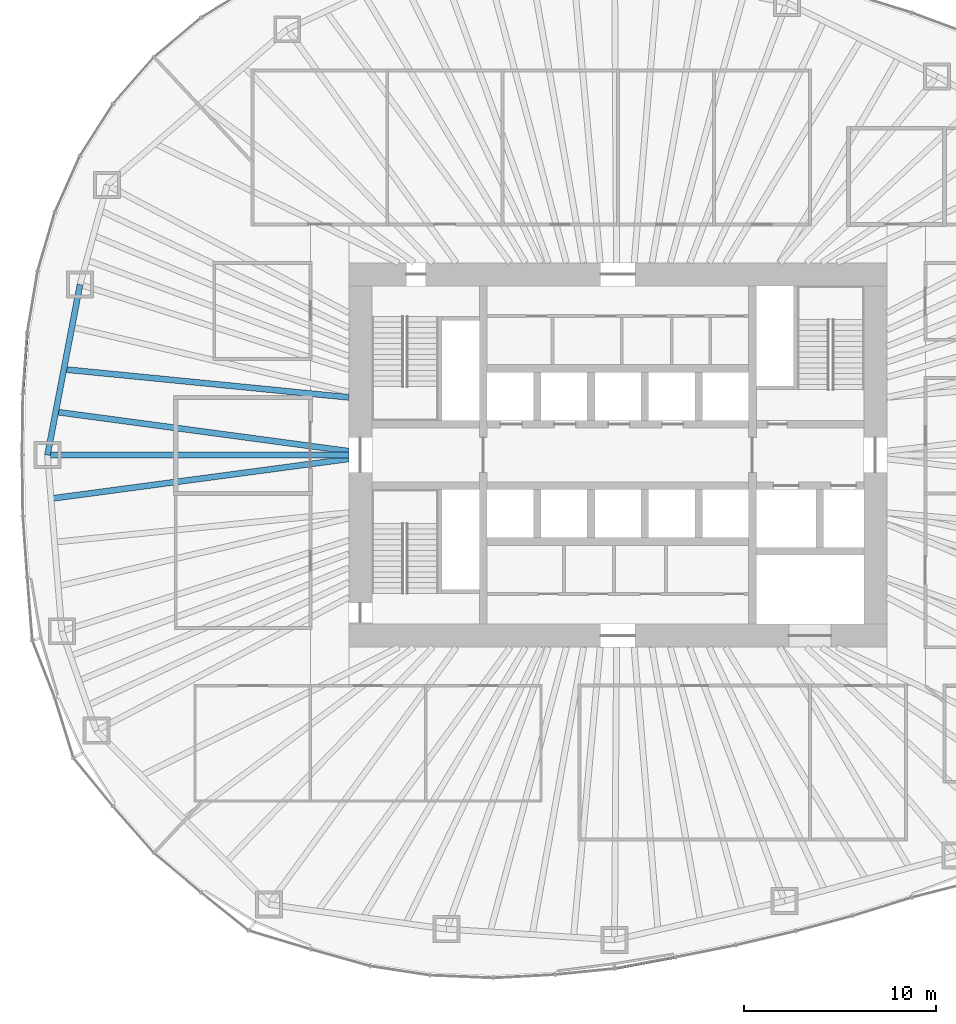
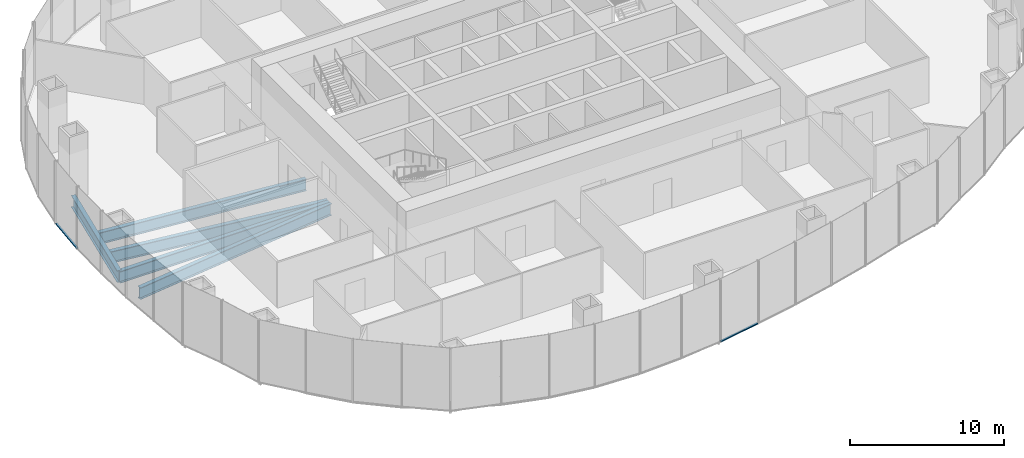
# One storey, part 3 of 18: 5 beams, 2 members, 2 elements without a shape of their own.
"""IFC4 building model written with IfcOpenShell, lengths in metres."""

from ifc_helpers import new_model, si_unit, direction, frame, origin, origin_2d, place, context, subcontext, project, spatial, rectangle, i_section, extrude, material, material_profile, profile_set, type_object, element, aggregate, save


model = new_model("IFC4")

# Units and contexts
model_context = context("Model", 3, precision=1e-05, world=origin(), true_north=direction((0.0, 1.0)))
body_context = subcontext(model_context, "Body", "Model", "MODEL_VIEW")
ifc_project = project(units=[si_unit("LENGTHUNIT", "METRE"), si_unit("AREAUNIT", "SQUARE_METRE"), si_unit("VOLUMEUNIT", "CUBIC_METRE"), si_unit("PLANEANGLEUNIT", "RADIAN"), si_unit("MASSUNIT", "GRAM", prefix="KILO")], contexts=[model_context])

# Site, building, storey
site_placement = place(None, origin())
site = spatial("IfcSite", under=ifc_project, at=site_placement, CompositionType="ELEMENT")
building_placement = place(site_placement, origin())
building = spatial("IfcBuilding", under=site, at=building_placement, Name="Ghaith Harvest Tower", CompositionType="ELEMENT")
storey_placement = place(building_placement, frame((0.0, 0.0, 95.0)))
storey = spatial("IfcBuildingStorey", under=building, at=storey_placement, Name="L19", CompositionType="ELEMENT", Elevation=95.0)

# Curtain wall, member
ifc_material_1 = material(Name="Black anodised aluminium and fritted glass", Category="aluminium")
curtain_wall_type = type_object("IfcCurtainWallType", Name="CW-F CURTAIN WALL", PredefinedType="NOTDEFINED", material=ifc_material_1)
curtain_wall_1_placement = place(storey_placement, origin())
curtain_wall_1 = element("IfcCurtainWall", 1, at=curtain_wall_1_placement, inside=storey, type_object=curtain_wall_type, Name="Curtain wall CW-F bay 10 L19", PredefinedType="NOTDEFINED")
ifc_material_2 = material(Name="Aluminium, black anodised", Category="aluminium")
ifc_material_profile_1 = material_profile(ifc_material_2, rectangle(XDim=0.139892578125, YDim=0.080078125, at=origin_2d()), Name="CW-F TRANSOM 140x80")
ifc_profile_set_1 = profile_set([ifc_material_profile_1], Name="Aluminium, black anodised")
member_type = type_object("IfcMemberType", Name="CW-F TRANSOM 140x80", PredefinedType="USERDEFINED", material=ifc_profile_set_1)
member_1_placement = place(storey_placement, frame((-30.72705078125, 6.335693359375, 0.0400390625), z_axis=(-0.072473547161, -0.997370334912, 0.0), x_axis=(0.997370334912, -0.072473547161, 0.0)))
member_1 = element("IfcMember", 2, at=member_1_placement, type_object=member_type, Name="CW-F transom 2 bay 10 L19", ObjectType="TRANSOM", PredefinedType="USERDEFINED", context=body_context, shape_type="SweptSolid", body=[
    extrude(rectangle(XDim=0.139892578125, YDim=0.080078125, at=origin_2d()), origin(), (0.0, 0.0, 1.0), 3.126220703125),
])
aggregate(curtain_wall_1, [member_1])

curtain_wall_2_placement = place(storey_placement, origin())
curtain_wall_2 = element("IfcCurtainWall", 3, at=curtain_wall_2_placement, inside=storey, type_object=curtain_wall_type, Name="Curtain wall CW-F bay 16 L19", PredefinedType="NOTDEFINED")
member_2_placement = place(storey_placement, frame((-0.1435546875, -26.709716796875, 0.0400390625), z_axis=(0.983139075124, 0.182859396706, 0.0), x_axis=(-0.182859396706, 0.983139075124, 0.0)))
member_2 = element("IfcMember", 4, at=member_2_placement, type_object=member_type, Name="CW-F transom 1 bay 16 L19", ObjectType="TRANSOM", PredefinedType="USERDEFINED", context=body_context, shape_type="SweptSolid", body=[
    extrude(rectangle(XDim=0.139892578125, YDim=0.080078125, at=origin_2d()), origin(), (0.0, 0.0, 1.0), 3.1669921875),
])
aggregate(curtain_wall_2, [member_2])

# Beams
ifc_material_3 = material(Name="Steel ASTM A992 Grade 50", Category="steel")
ifc_material_profile_2 = material_profile(ifc_material_3, i_section(OverallWidth=0.306884765625, OverallDepth=0.94189453125, WebThickness=0.022216796875, FlangeThickness=0.039794921875, at=origin_2d()), Name="W920X345")
ifc_profile_set_2 = profile_set([ifc_material_profile_2], Name="Steel ASTM A992 Grade 50")
beam_type_1 = type_object("IfcBeamType", Name="E920-345 W920X345", PredefinedType="SPANDREL", material=ifc_profile_set_2)
beam_1_placement = place(storey_placement, frame((-27.98291015625, 8.867919921875, -0.6708984375), z_axis=(-0.187433949108, -0.982277208695, 0.0), x_axis=(0.982277208695, -0.187433949108, 0.0)))
element("IfcBeam", 5, at=beam_1_placement, inside=storey, type_object=beam_type_1, Name="Edge beam E10 L19", PredefinedType="SPANDREL", context=body_context, shape_type="SweptSolid", body=[
    extrude(i_section(OverallWidth=0.306884765625, OverallDepth=0.94189453125, WebThickness=0.022216796875, FlangeThickness=0.039794921875, at=origin_2d()), origin(), (0.0, 0.0, 1.0), 9.02783203125),
])
ifc_material_4 = material(Name="Steel ASTM A992 Grade 50", Category="steel")
ifc_material_profile_3 = material_profile(ifc_material_4, i_section(OverallWidth=0.306884765625, OverallDepth=0.94189453125, WebThickness=0.022216796875, FlangeThickness=0.039794921875, at=origin_2d()), Name="W920X345")
ifc_profile_set_3 = profile_set([ifc_material_profile_3], Name="Steel ASTM A992 Grade 50")
beam_type_2 = type_object("IfcBeamType", Name="G920-345 W920X345", PredefinedType="BEAM", material=ifc_profile_set_3)
beam_2_placement = place(storey_placement, frame((-14.0, 0.0, -0.6708984375), z_axis=(-1.0, 0.0, 0.0), x_axis=(0.0, -1.0, 0.0)))
element("IfcBeam", 6, at=beam_2_placement, inside=storey, type_object=beam_type_2, Name="Radial girder G11 L19", PredefinedType="BEAM", context=body_context, shape_type="SweptSolid", body=[
    extrude(i_section(OverallWidth=0.306884765625, OverallDepth=0.94189453125, WebThickness=0.022216796875, FlangeThickness=0.039794921875, at=origin_2d()), origin(), (0.0, 0.0, 1.0), 15.675048828125),
])
ifc_material_5 = material(Name="Steel ASTM A992 Grade 50", Category="steel")
ifc_material_profile_4 = material_profile(ifc_material_5, i_section(OverallWidth=0.31005859375, OverallDepth=0.927001953125, WebThickness=0.019287109375, FlangeThickness=0.031982421875, at=origin_2d()), Name="W920X289")
ifc_profile_set_4 = profile_set([ifc_material_profile_4], Name="Steel ASTM A992 Grade 50")
beam_type_3 = type_object("IfcBeamType", Name="J920-289 W920X289", PredefinedType="JOIST", material=ifc_profile_set_4)
beam_3_placement = place(storey_placement, frame((-14.0, 3.0, -0.66357421875), z_axis=(-0.995196704135, 0.097895454848, 0.0), x_axis=(-0.097895454848, -0.995196704135, 0.0)))
element("IfcBeam", 7, at=beam_3_placement, inside=storey, type_object=beam_type_3, Name="Joist J10.2 L19", PredefinedType="JOIST", context=body_context, shape_type="SweptSolid", body=[
    extrude(i_section(OverallWidth=0.31005859375, OverallDepth=0.927001953125, WebThickness=0.019287109375, FlangeThickness=0.031982421875, at=origin_2d()), origin(), (0.0, 0.0, 1.0), 14.89599609375),
])
beam_4_placement = place(storey_placement, frame((-14.0, 0.199951171875, -0.66357421875), z_axis=(-0.991095171591, 0.133155401128, 0.0), x_axis=(-0.133155401128, -0.991095171591, 0.0)))
element("IfcBeam", 8, at=beam_4_placement, inside=storey, type_object=beam_type_3, Name="Joist J10.3 L19", PredefinedType="JOIST", context=body_context, shape_type="SweptSolid", body=[
    extrude(i_section(OverallWidth=0.31005859375, OverallDepth=0.927001953125, WebThickness=0.019287109375, FlangeThickness=0.031982421875, at=origin_2d()), origin(), (0.0, 0.0, 1.0), 15.383056640625),
])
beam_5_placement = place(storey_placement, frame((-14.0, -0.199951171875, -0.66357421875), z_axis=(-0.991213569042, -0.132271162948, 0.0), x_axis=(0.132271162948, -0.991213569042, 0.0)))
element("IfcBeam", 9, at=beam_5_placement, inside=storey, type_object=beam_type_3, Name="Joist J11.1 L19", PredefinedType="JOIST", context=body_context, shape_type="SweptSolid", body=[
    extrude(i_section(OverallWidth=0.31005859375, OverallDepth=0.927001953125, WebThickness=0.019287109375, FlangeThickness=0.031982421875, at=origin_2d()), origin(), (0.0, 0.0, 1.0), 15.6279296875),
])

save(model, "model.ifc")
